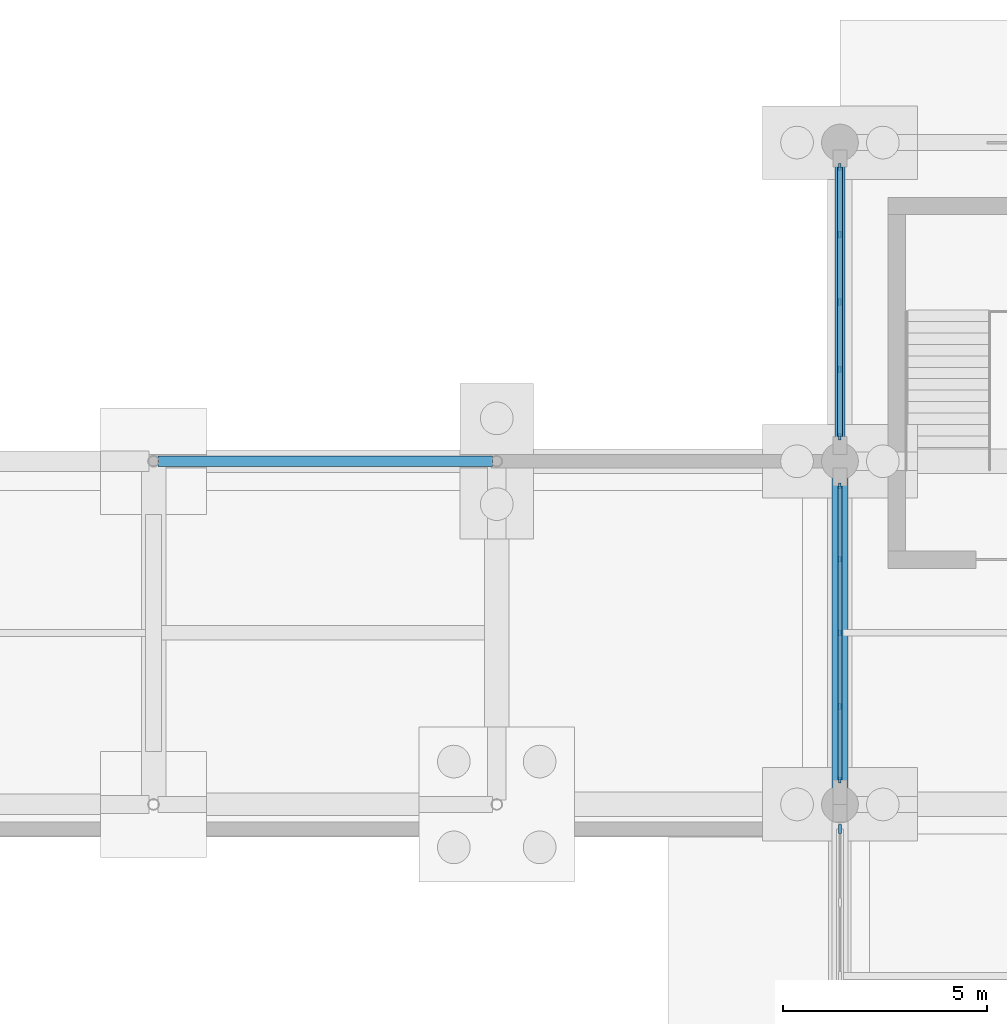
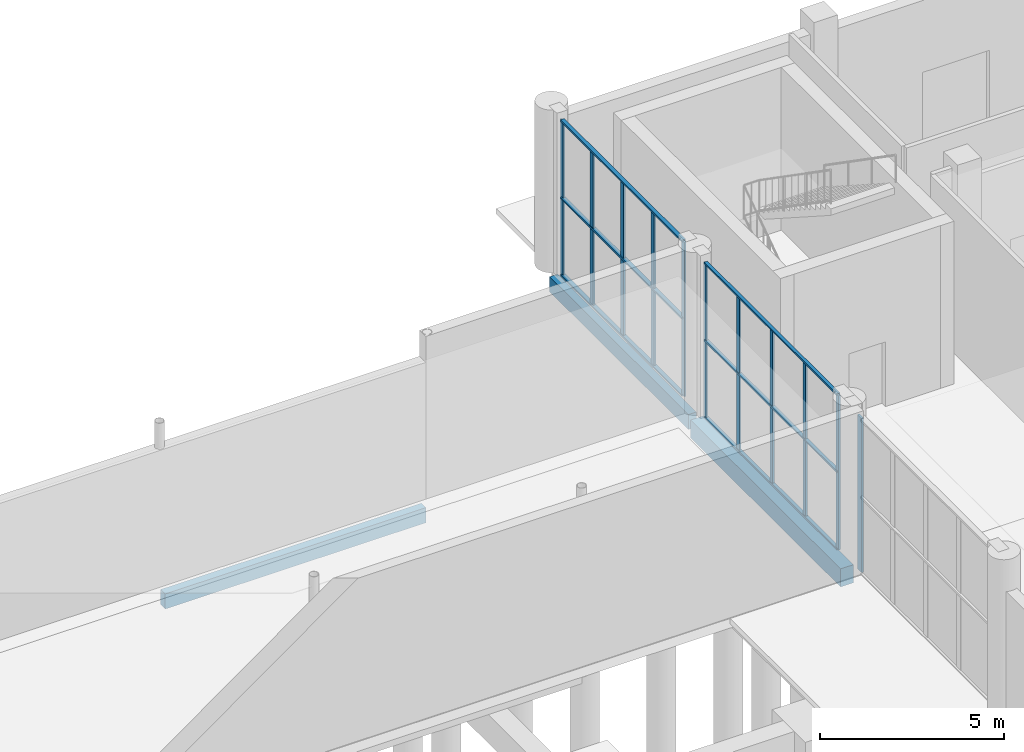
# One storey, part 46 of 82: 17 members, 3 beams, 3 elements without a shape of their own.
"""IFC4 building model written with IfcOpenShell, lengths in metres."""

from ifc_helpers import new_model, si_unit, derived_unit, direction, frame, origin, origin_2d, place, context, subcontext, project, spatial, rectangle, extrude, material, material_profile, profile_set, type_object, element, aggregate, save


model = new_model("IFC4")

# Units and contexts
model_context = context("Model", 3, precision=1e-05, world=origin(), true_north=direction((0.0, 1.0)))
body_context = subcontext(model_context, "Body", "Model", "MODEL_VIEW")
ifc_project = project(units=[si_unit("LENGTHUNIT", "METRE"), si_unit("AREAUNIT", "SQUARE_METRE"), si_unit("VOLUMEUNIT", "CUBIC_METRE"), si_unit("PLANEANGLEUNIT", "RADIAN"), si_unit("MASSUNIT", "GRAM", prefix="KILO"), derived_unit("THERMALTRANSMITTANCEUNIT", [(si_unit("POWERUNIT", "WATT"), 1), (si_unit("LENGTHUNIT", "METRE"), -2), (si_unit("THERMODYNAMICTEMPERATUREUNIT", "KELVIN"), -1)])], contexts=[model_context])

# Site, building, storey
site_placement = place(None, origin())
site = spatial("IfcSite", under=ifc_project, at=site_placement, CompositionType="ELEMENT")
building_placement = place(site_placement, origin())
building = spatial("IfcBuilding", under=site, at=building_placement, Name="Barrovel Congress Hotel", CompositionType="ELEMENT")
storey_placement = place(building_placement, origin())
storey = spatial("IfcBuildingStorey", under=building, at=storey_placement, Name="L00", CompositionType="ELEMENT", Elevation=0.0)

# Beams
ifc_material_1 = material(Name="Concrete C40", Category="concrete")
ifc_material_profile_1 = material_profile(ifc_material_1, rectangle(XDim=0.25, YDim=0.5, at=origin_2d()), Name="RC250x500")
ifc_profile_set_1 = profile_set([ifc_material_profile_1], Name="Concrete C40")
beam_type_1 = type_object("IfcBeamType", Name="BM-RC250x500", PredefinedType="SPANDREL", material=ifc_profile_set_1)
beam_1_placement = place(storey_placement, frame((109.3095703125, 105.0, -0.570068359375), z_axis=(1.0, 0.0, 0.0), x_axis=(0.0, 1.0, 0.0)))
element("IfcBeam", 1, at=beam_1_placement, inside=storey, type_object=beam_type_1, Name="BMX:L00:105.0:109.2-117.6", PredefinedType="SPANDREL", context=body_context, shape_type="SweptSolid", body=[
    extrude(rectangle(XDim=0.25, YDim=0.5, at=origin_2d()), origin(), (0.0, 0.0, 1.0), 8.180908203125),
])
beam_2_placement = place(storey_placement, frame((126.0, 105.126953125, -0.570068359375), z_axis=(0.0, 1.0, 0.0), x_axis=(-1.0, 0.0, 0.0)))
element("IfcBeam", 2, at=beam_2_placement, inside=storey, type_object=beam_type_1, Name="BMY:L00:126.0:105.0-112.8", PredefinedType="SPANDREL", context=body_context, shape_type="SweptSolid", body=[
    extrude(rectangle(XDim=0.25, YDim=0.5, at=origin_2d()), origin(), (0.0, 0.0, 1.0), 7.546142578125),
])
ifc_material_profile_2 = material_profile(ifc_material_1, rectangle(XDim=0.39990234375, YDim=0.60009765625, at=origin_2d()), Name="RC400x600")
ifc_profile_set_2 = profile_set([ifc_material_profile_2], Name="Concrete C40")
beam_type_2 = type_object("IfcBeamType", Name="BM-RC400x600", PredefinedType="BEAM", material=ifc_profile_set_2)
beam_3_placement = place(storey_placement, frame((126.0, 96.72705078125, -0.6201171875), z_axis=(0.0, 1.0, 0.0), x_axis=(-1.0, 0.0, 0.0)))
element("IfcBeam", 3, at=beam_3_placement, inside=storey, type_object=beam_type_2, Name="BMY:L00:126.0:96.6-105.0", PredefinedType="BEAM", context=body_context, shape_type="SweptSolid", body=[
    extrude(rectangle(XDim=0.39990234375, YDim=0.60009765625, at=origin_2d()), origin(), (0.0, 0.0, 1.0), 8.14599609375),
])

# Curtain wall, members
ifc_material_2 = material(Name="Anodised Aluminium Alloy 6063-T6", Category="aluminium")
curtain_wall_type = type_object("IfcCurtainWallType", Name="CW-ST-7200x3600", PredefinedType="USERDEFINED", material=ifc_material_2)
curtain_wall_1_placement = place(storey_placement, origin())
curtain_wall_1 = element("IfcCurtainWall", 4, at=curtain_wall_1_placement, inside=storey, type_object=curtain_wall_type, Name="CW:L00:CE:96.6", ObjectType="STICK CURTAIN WALL", PredefinedType="USERDEFINED")
ifc_material_profile_3 = material_profile(ifc_material_2, rectangle(XDim=0.06005859375, YDim=0.139892578125, at=origin_2d()), Name="AL-M60x140")
ifc_profile_set_3 = profile_set([ifc_material_profile_3], Name="Anodised Aluminium Alloy 6063-T6")
member_type_1 = type_object("IfcMemberType", Name="CWM-AL-M60x140", PredefinedType="MULLION", material=ifc_profile_set_3)
member_1_placement = place(storey_placement, frame((126.0, 104.39990234375, 0.0), z_axis=(0.0, 0.0, 1.0), x_axis=(1.0, 0.0, 0.0)))
member_1 = element("IfcMember", 5, at=member_1_placement, type_object=member_type_1, Name="CW:L00:CE:96.6:M0", PredefinedType="MULLION", context=body_context, shape_type="SweptSolid", body=[
    extrude(rectangle(XDim=0.06005859375, YDim=0.139892578125, at=origin_2d()), origin(), (0.0, 0.0, 1.0), 5.1201171875),
])
member_2_placement = place(storey_placement, frame((126.0, 102.60009765625, 0.0), z_axis=(0.0, 0.0, 1.0), x_axis=(1.0, 0.0, 0.0)))
member_2 = element("IfcMember", 6, at=member_2_placement, type_object=member_type_1, Name="CW:L00:CE:96.6:M1", PredefinedType="MULLION", context=body_context, shape_type="SweptSolid", body=[
    extrude(rectangle(XDim=0.06005859375, YDim=0.139892578125, at=origin_2d()), origin(), (0.0, 0.0, 1.0), 5.1201171875),
])
member_3_placement = place(storey_placement, frame((126.0, 100.800048828125, 0.0), z_axis=(0.0, 0.0, 1.0), x_axis=(1.0, 0.0, 0.0)))
member_3 = element("IfcMember", 7, at=member_3_placement, type_object=member_type_1, Name="CW:L00:CE:96.6:M2", PredefinedType="MULLION", context=body_context, shape_type="SweptSolid", body=[
    extrude(rectangle(XDim=0.06005859375, YDim=0.139892578125, at=origin_2d()), origin(), (0.0, 0.0, 1.0), 5.1201171875),
])
member_4_placement = place(storey_placement, frame((126.0, 99.0, 0.0), z_axis=(0.0, 0.0, 1.0), x_axis=(1.0, 0.0, 0.0)))
member_4 = element("IfcMember", 8, at=member_4_placement, type_object=member_type_1, Name="CW:L00:CE:96.6:M3", PredefinedType="MULLION", context=body_context, shape_type="SweptSolid", body=[
    extrude(rectangle(XDim=0.06005859375, YDim=0.139892578125, at=origin_2d()), origin(), (0.0, 0.0, 1.0), 5.1201171875),
])
member_5_placement = place(storey_placement, frame((126.0, 97.199951171875, 0.0), z_axis=(0.0, 0.0, 1.0), x_axis=(1.0, 0.0, 0.0)))
member_5 = element("IfcMember", 9, at=member_5_placement, type_object=member_type_1, Name="CW:L00:CE:96.6:M4", PredefinedType="MULLION", context=body_context, shape_type="SweptSolid", body=[
    extrude(rectangle(XDim=0.06005859375, YDim=0.139892578125, at=origin_2d()), origin(), (0.0, 0.0, 1.0), 5.1201171875),
])

curtain_wall_2_placement = place(storey_placement, origin())
curtain_wall_2 = element("IfcCurtainWall", 10, at=curtain_wall_2_placement, inside=storey, type_object=curtain_wall_type, Name="CW:L00:CE:105.0", ObjectType="STICK CURTAIN WALL", PredefinedType="USERDEFINED")
ifc_material_profile_4 = material_profile(ifc_material_2, rectangle(XDim=0.06005859375, YDim=0.1650390625, at=origin_2d()), Name="AL-M60x165")
ifc_profile_set_4 = profile_set([ifc_material_profile_4], Name="Anodised Aluminium Alloy 6063-T6")
member_type_2 = type_object("IfcMemberType", Name="CWM-AL-M60x165", PredefinedType="MULLION", material=ifc_profile_set_4)
member_6_placement = place(storey_placement, frame((126.0, 112.199951171875, 0.0), z_axis=(0.0, 0.0, 1.0), x_axis=(1.0, 0.0, 0.0)))
member_6 = element("IfcMember", 11, at=member_6_placement, type_object=member_type_2, Name="CW:L00:CE:105.0:M0", PredefinedType="MULLION", context=body_context, shape_type="SweptSolid", body=[
    extrude(rectangle(XDim=0.06005859375, YDim=0.1650390625, at=origin_2d()), origin(), (0.0, 0.0, 1.0), 5.1201171875),
])
member_7_placement = place(storey_placement, frame((126.0, 110.550048828125, 0.0), z_axis=(0.0, 0.0, 1.0), x_axis=(1.0, 0.0, 0.0)))
member_7 = element("IfcMember", 12, at=member_7_placement, type_object=member_type_2, Name="CW:L00:CE:105.0:M1", PredefinedType="MULLION", context=body_context, shape_type="SweptSolid", body=[
    extrude(rectangle(XDim=0.06005859375, YDim=0.1650390625, at=origin_2d()), origin(), (0.0, 0.0, 1.0), 5.1201171875),
])
member_8_placement = place(storey_placement, frame((126.0, 108.89990234375, 0.0), z_axis=(0.0, 0.0, 1.0), x_axis=(1.0, 0.0, 0.0)))
member_8 = element("IfcMember", 13, at=member_8_placement, type_object=member_type_2, Name="CW:L00:CE:105.0:M2", PredefinedType="MULLION", context=body_context, shape_type="SweptSolid", body=[
    extrude(rectangle(XDim=0.06005859375, YDim=0.1650390625, at=origin_2d()), origin(), (0.0, 0.0, 1.0), 5.1201171875),
])
member_9_placement = place(storey_placement, frame((126.0, 107.25, 0.0), z_axis=(0.0, 0.0, 1.0), x_axis=(1.0, 0.0, 0.0)))
member_9 = element("IfcMember", 14, at=member_9_placement, type_object=member_type_2, Name="CW:L00:CE:105.0:M3", PredefinedType="MULLION", context=body_context, shape_type="SweptSolid", body=[
    extrude(rectangle(XDim=0.06005859375, YDim=0.1650390625, at=origin_2d()), origin(), (0.0, 0.0, 1.0), 5.1201171875),
])
member_10_placement = place(storey_placement, frame((126.0, 105.60009765625, 0.0), z_axis=(0.0, 0.0, 1.0), x_axis=(1.0, 0.0, 0.0)))
member_10 = element("IfcMember", 15, at=member_10_placement, type_object=member_type_2, Name="CW:L00:CE:105.0:M4", PredefinedType="MULLION", context=body_context, shape_type="SweptSolid", body=[
    extrude(rectangle(XDim=0.06005859375, YDim=0.1650390625, at=origin_2d()), origin(), (0.0, 0.0, 1.0), 5.1201171875),
])

# Curtain wall, member
curtain_wall_3_placement = place(storey_placement, origin())
curtain_wall_3 = element("IfcCurtainWall", 16, at=curtain_wall_3_placement, inside=storey, type_object=curtain_wall_type, Name="CW:L00:CE:88.2", ObjectType="STICK CURTAIN WALL", PredefinedType="USERDEFINED")
ifc_material_profile_5 = material_profile(ifc_material_2, rectangle(XDim=0.06494140625, YDim=0.219970703125, at=origin_2d()), Name="AL-M65x220")
ifc_profile_set_5 = profile_set([ifc_material_profile_5], Name="Anodised Aluminium Alloy 6063-T6")
member_type_3 = type_object("IfcMemberType", Name="CWM-AL-M65x220", PredefinedType="MULLION", material=ifc_profile_set_5)
member_11_placement = place(storey_placement, frame((126.0, 96.0, 0.0), z_axis=(0.0, 0.0, 1.0), x_axis=(1.0, 0.0, 0.0)))
member_11 = element("IfcMember", 17, at=member_11_placement, type_object=member_type_3, Name="CW:L00:CE:88.2:M0", PredefinedType="MULLION", context=body_context, shape_type="SweptSolid", body=[
    extrude(rectangle(XDim=0.06494140625, YDim=0.219970703125, at=origin_2d()), origin(), (0.0, 0.0, 1.0), 5.1201171875),
])
aggregate(curtain_wall_3, [member_11])

# Member
ifc_material_profile_6 = material_profile(ifc_material_2, rectangle(XDim=0.10498046875, YDim=0.06005859375, at=origin_2d()), Name="AL-T60x105")
ifc_profile_set_6 = profile_set([ifc_material_profile_6], Name="Anodised Aluminium Alloy 6063-T6")
member_type_4 = type_object("IfcMemberType", Name="CWT-AL-T60x105", PredefinedType="USERDEFINED", material=ifc_profile_set_6)
member_12_placement = place(storey_placement, frame((126.0, 104.39990234375, 0.0), z_axis=(0.0, -1.0, 0.0), x_axis=(1.0, 0.0, 0.0)))
member_12 = element("IfcMember", 18, at=member_12_placement, type_object=member_type_4, Name="CW:L00:CE:96.6:T0", ObjectType="TRANSOM", PredefinedType="USERDEFINED", context=body_context, shape_type="SweptSolid", body=[
    extrude(rectangle(XDim=0.10498046875, YDim=0.06005859375, at=origin_2d()), origin(), (0.0, 0.0, 1.0), 7.199951171875),
])

member_13_placement = place(storey_placement, frame((126.0, 104.39990234375, 2.56005859375), z_axis=(0.0, -1.0, 0.0), x_axis=(1.0, 0.0, 0.0)))
member_13 = element("IfcMember", 19, at=member_13_placement, type_object=member_type_4, Name="CW:L00:CE:96.6:T1", ObjectType="TRANSOM", PredefinedType="USERDEFINED", context=body_context, shape_type="SweptSolid", body=[
    extrude(rectangle(XDim=0.10498046875, YDim=0.06005859375, at=origin_2d()), origin(), (0.0, 0.0, 1.0), 7.199951171875),
])

member_14_placement = place(storey_placement, frame((126.0, 104.39990234375, 5.1201171875), z_axis=(0.0, -1.0, 0.0), x_axis=(1.0, 0.0, 0.0)))
member_14 = element("IfcMember", 20, at=member_14_placement, type_object=member_type_4, Name="CW:L00:CE:96.6:T2", ObjectType="TRANSOM", PredefinedType="USERDEFINED", context=body_context, shape_type="SweptSolid", body=[
    extrude(rectangle(XDim=0.10498046875, YDim=0.06005859375, at=origin_2d()), origin(), (0.0, 0.0, 1.0), 7.199951171875),
])

aggregate(curtain_wall_1, [member_1, member_2, member_3, member_4, member_5, member_12, member_13, member_14])

ifc_material_profile_7 = material_profile(ifc_material_2, rectangle(XDim=0.125, YDim=0.06005859375, at=origin_2d()), Name="AL-T60x125")
ifc_profile_set_7 = profile_set([ifc_material_profile_7], Name="Anodised Aluminium Alloy 6063-T6")
member_type_5 = type_object("IfcMemberType", Name="CWT-AL-T60x125", PredefinedType="USERDEFINED", material=ifc_profile_set_7)
member_15_placement = place(storey_placement, frame((126.0, 112.199951171875, 0.0), z_axis=(0.0, -1.0, 0.0), x_axis=(1.0, 0.0, 0.0)))
member_15 = element("IfcMember", 21, at=member_15_placement, type_object=member_type_5, Name="CW:L00:CE:105.0:T0", ObjectType="TRANSOM", PredefinedType="USERDEFINED", context=body_context, shape_type="SweptSolid", body=[
    extrude(rectangle(XDim=0.125, YDim=0.06005859375, at=origin_2d()), origin(), (0.0, 0.0, 1.0), 6.599853515625),
])

member_16_placement = place(storey_placement, frame((126.0, 112.199951171875, 2.56005859375), z_axis=(0.0, -1.0, 0.0), x_axis=(1.0, 0.0, 0.0)))
member_16 = element("IfcMember", 22, at=member_16_placement, type_object=member_type_5, Name="CW:L00:CE:105.0:T1", ObjectType="TRANSOM", PredefinedType="USERDEFINED", context=body_context, shape_type="SweptSolid", body=[
    extrude(rectangle(XDim=0.125, YDim=0.06005859375, at=origin_2d()), origin(), (0.0, 0.0, 1.0), 6.599853515625),
])

member_17_placement = place(storey_placement, frame((126.0, 112.199951171875, 5.1201171875), z_axis=(0.0, -1.0, 0.0), x_axis=(1.0, 0.0, 0.0)))
member_17 = element("IfcMember", 23, at=member_17_placement, type_object=member_type_5, Name="CW:L00:CE:105.0:T2", ObjectType="TRANSOM", PredefinedType="USERDEFINED", context=body_context, shape_type="SweptSolid", body=[
    extrude(rectangle(XDim=0.125, YDim=0.06005859375, at=origin_2d()), origin(), (0.0, 0.0, 1.0), 6.599853515625),
])

aggregate(curtain_wall_2, [member_6, member_7, member_8, member_9, member_10, member_15, member_16, member_17])

save(model, "model.ifc")
